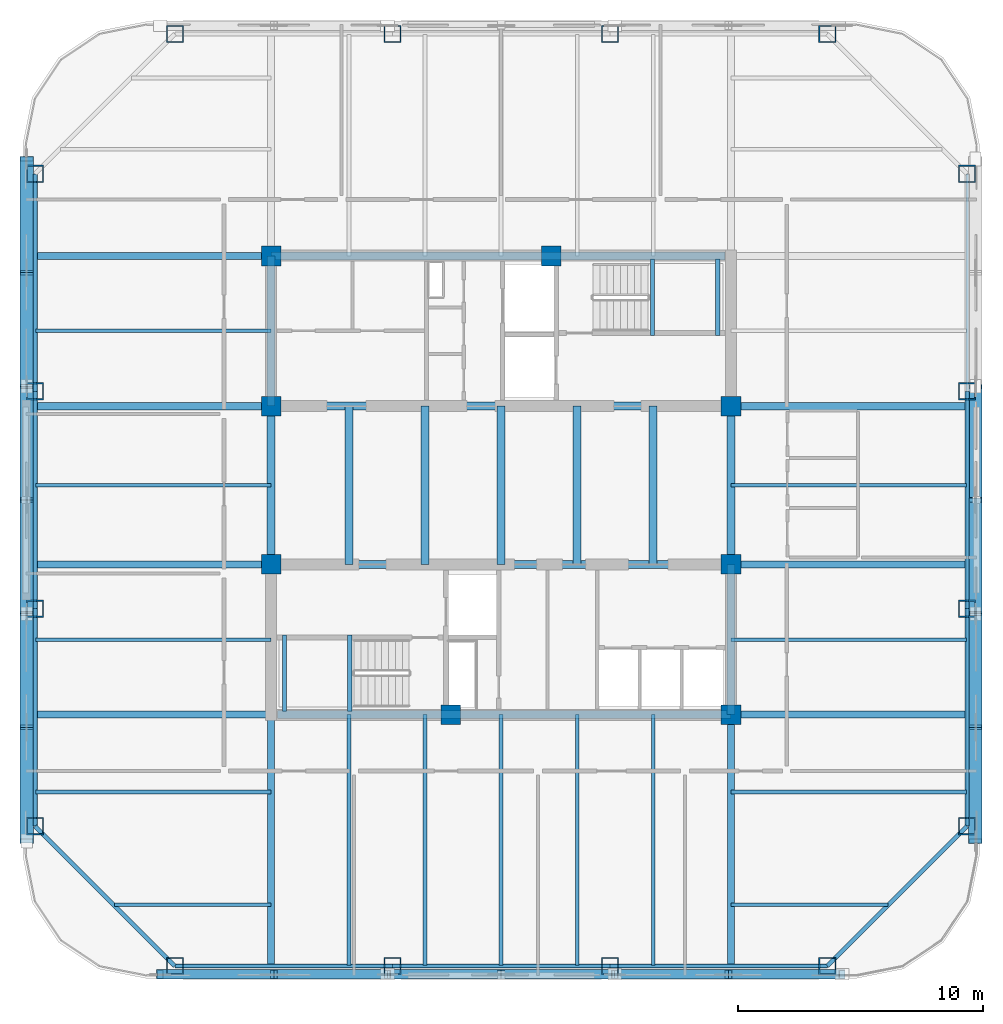
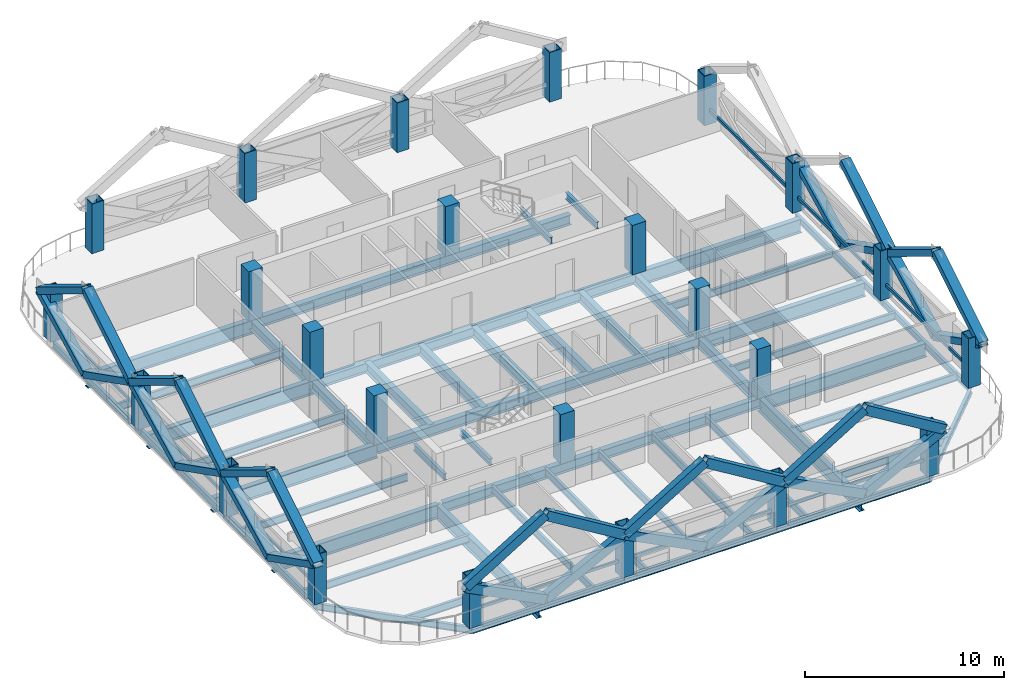
# One storey, part 1 of 9: 50 beams, 34 members, 24 columns.
"""IFC4 building model written with IfcOpenShell, lengths in metres."""

from ifc_helpers import new_model, si_unit, direction, frame, origin, origin_2d, place, context, subcontext, project, spatial, rectangle, hollow_rectangle, i_section, extrude, material, material_profile, profile_set, type_object, element, save


model = new_model("IFC4")

# Units and contexts
model_context = context("Model", 3, precision=1e-05, world=origin(), true_north=direction((0.0, 1.0)))
body_context = subcontext(model_context, "Body", "Model", "MODEL_VIEW")
ifc_project = project(units=[si_unit("LENGTHUNIT", "METRE"), si_unit("AREAUNIT", "SQUARE_METRE"), si_unit("VOLUMEUNIT", "CUBIC_METRE"), si_unit("PLANEANGLEUNIT", "RADIAN"), si_unit("MASSUNIT", "GRAM", prefix="KILO")], contexts=[model_context])

# Site, building, storey
site_placement = place(None, origin())
site = spatial("IfcSite", under=ifc_project, at=site_placement, CompositionType="ELEMENT")
building_placement = place(site_placement, origin())
building = spatial("IfcBuilding", under=site, at=building_placement, Name="Qhalaya Broadcast Tower", CompositionType="ELEMENT")
storey_placement = place(building_placement, frame((0.0, 0.0, 217.800048828125)))
storey = spatial("IfcBuildingStorey", under=building, at=storey_placement, Name="L64", CompositionType="ELEMENT", Elevation=217.800048828125)

# Columns
ifc_material_1 = material(Name="Concrete C50/60", Category="concrete")
ifc_material_profile_1 = material_profile(ifc_material_1, rectangle(XDim=0.800048828125, YDim=0.800048828125, at=origin_2d()), Name="RC-COL 800x800")
ifc_profile_set_1 = profile_set([ifc_material_profile_1], Name="Concrete C50/60")
column_type_1 = type_object("IfcColumnType", Name="RC Upper Column C10", PredefinedType="COLUMN", material=ifc_profile_set_1)
for number, where, z_axis, x_axis, name in (
    (1, (-9.375, 9.949951171875, 0.0), (0.0, 0.0, 1.0), (1.0, 0.0, 0.0), "L64 Column COL-CC1"),
    (2, (2.050048828125, 9.949951171875, 0.0), (0.0, 0.0, 1.0), (1.0, 0.0, 0.0), "L64 Column COL-CC2"),
    (3, (-9.375, 3.824951171875, 0.0), (0.0, 0.0, 1.0), (1.0, 0.0, 0.0), "L64 Column COL-CC3"),
    (4, (9.375, 3.824951171875, 0.0), (0.0, 0.0, 1.0), (1.0, 0.0, 0.0), "L64 Column COL-CC4"),
    (5, (-9.375, -2.625, 0.0), (0.0, 0.0, 1.0), (1.0, 0.0, 0.0), "L64 Column COL-CC5"),
    (6, (9.375, -2.625, 0.0), (0.0, 0.0, 1.0), (1.0, 0.0, 0.0), "L64 Column COL-CC6"),
    (7, (-2.050048828125, -8.75, 0.0), (0.0, 0.0, 1.0), (1.0, 0.0, 0.0), "L64 Column COL-CC7"),
    (8, (9.375, -8.75, 0.0), (0.0, 0.0, 1.0), (1.0, 0.0, 0.0), "L64 Column COL-CC8"),
):
    element("IfcColumn", number, at=place(storey_placement, frame(where, z_axis=z_axis, x_axis=x_axis)), inside=storey, type_object=column_type_1, Name=name, PredefinedType="COLUMN", context=body_context, shape_type="SweptSolid", body=[
        extrude(rectangle(XDim=0.800048828125, YDim=0.800048828125, at=origin_2d()), origin(), (0.0, 0.0, 1.0), 3.050048828125),
    ])
ifc_material_2 = material(Name="Structural Steel ASTM A572 Grade 50", Category="steel")
ifc_material_profile_2 = material_profile(ifc_material_2, hollow_rectangle(XDim=0.699951171875, YDim=0.699951171875, WallThickness=0.044921875, at=origin_2d()), Name="BOX 700x700x45")
ifc_profile_set_2 = profile_set([ifc_material_profile_2], Name="Structural Steel ASTM A572 Grade 50")
column_type_2 = type_object("IfcColumnType", Name="Steel Box Column C04", PredefinedType="COLUMN", material=ifc_profile_set_2)
for number, where, z_axis, x_axis, name in (
    (9, (-13.300048828125, -19.0, 0.0), (0.0, 0.0, 1.0), (1.0, 0.0, 0.0), "L64 Column COL-EX01"),
    (10, (-4.433349609375, -19.0, 0.0), (0.0, 0.0, 1.0), (1.0, 0.0, 0.0), "L64 Column COL-EX02"),
    (11, (4.433349609375, -19.0, 0.0), (0.0, 0.0, 1.0), (1.0, 0.0, 0.0), "L64 Column COL-EX03"),
    (12, (13.300048828125, -19.0, 0.0), (0.0, 0.0, 1.0), (1.0, 0.0, 0.0), "L64 Column COL-EX04"),
    (13, (19.0, -13.300048828125, 0.0), (0.0, 0.0, 1.0), (0.0, 1.0, 0.0), "L64 Column COL-EX05"),
    (14, (19.0, -4.433349609375, 0.0), (0.0, 0.0, 1.0), (0.0, 1.0, 0.0), "L64 Column COL-EX06"),
    (15, (19.0, 4.433349609375, 0.0), (0.0, 0.0, 1.0), (0.0, 1.0, 0.0), "L64 Column COL-EX07"),
    (16, (19.0, 13.300048828125, 0.0), (0.0, 0.0, 1.0), (0.0, 1.0, 0.0), "L64 Column COL-EX08"),
    (17, (13.300048828125, 19.0, 0.0), (0.0, 0.0, 1.0), (1.0, 0.0, 0.0), "L64 Column COL-EX09"),
    (18, (4.433349609375, 19.0, 0.0), (0.0, 0.0, 1.0), (1.0, 0.0, 0.0), "L64 Column COL-EX10"),
    (19, (-4.433349609375, 19.0, 0.0), (0.0, 0.0, 1.0), (1.0, 0.0, 0.0), "L64 Column COL-EX11"),
    (20, (-13.300048828125, 19.0, 0.0), (0.0, 0.0, 1.0), (1.0, 0.0, 0.0), "L64 Column COL-EX12"),
    (21, (-19.0, 13.300048828125, 0.0), (0.0, 0.0, 1.0), (0.0, 1.0, 0.0), "L64 Column COL-EX13"),
    (22, (-19.0, 4.433349609375, 0.0), (0.0, 0.0, 1.0), (0.0, 1.0, 0.0), "L64 Column COL-EX14"),
    (23, (-19.0, -4.433349609375, 0.0), (0.0, 0.0, 1.0), (0.0, 1.0, 0.0), "L64 Column COL-EX15"),
    (24, (-19.0, -13.300048828125, 0.0), (0.0, 0.0, 1.0), (0.0, 1.0, 0.0), "L64 Column COL-EX16"),
):
    element("IfcColumn", number, at=place(storey_placement, frame(where, z_axis=z_axis, x_axis=x_axis)), inside=storey, type_object=column_type_2, Name=name, PredefinedType="COLUMN", context=body_context, shape_type="SweptSolid", body=[
        extrude(hollow_rectangle(XDim=0.699951171875, YDim=0.699951171875, WallThickness=0.044921875, at=origin_2d()), origin(), (0.0, 0.0, 1.0), 3.050048828125),
    ])

# Beams
ifc_material_3 = material(Name="Structural Steel ASTM A992 Grade 50", Category="steel")
ifc_material_profile_3 = material_profile(ifc_material_3, i_section(OverallWidth=0.154052734375, OverallDepth=0.458984375, WebThickness=0.009033203125, FlangeThickness=0.015380859375, at=origin_2d()), Name="W18X46")
ifc_profile_set_3 = profile_set([ifc_material_profile_3], Name="Structural Steel ASTM A992 Grade 50")
beam_type_1 = type_object("IfcBeamType", Name="Composite Floor Joist J04", PredefinedType="JOIST", material=ifc_profile_set_3)
for number, where, z_axis, x_axis, name in (
    (25, (-6.199951171875, -18.97998046875, -0.41943359375), (0.0, 1.0, 0.0), (-1.0, 0.0, 0.0), "L64 J04 L64-JNS1-1"),
    (26, (-3.10009765625, -18.97998046875, -0.41943359375), (0.0, 1.0, 0.0), (-1.0, 0.0, 0.0), "L64 J04 L64-JNS2-1"),
    (27, (0.0, -18.97998046875, -0.41943359375), (0.0, 1.0, 0.0), (-1.0, 0.0, 0.0), "L64 J04 L64-JNS3-1"),
    (28, (3.10009765625, -18.97998046875, -0.41943359375), (0.0, 1.0, 0.0), (-1.0, 0.0, 0.0), "L64 J04 L64-JNS4-1"),
    (29, (6.199951171875, -18.97998046875, -0.41943359375), (0.0, 1.0, 0.0), (-1.0, 0.0, 0.0), "L64 J04 L64-JNS5-1"),
):
    element("IfcBeam", number, at=place(storey_placement, frame(where, z_axis=z_axis, x_axis=x_axis)), inside=storey, type_object=beam_type_1, Name=name, PredefinedType="JOIST", context=body_context, shape_type="SweptSolid", body=[
        extrude(i_section(OverallWidth=0.154052734375, OverallDepth=0.458984375, WebThickness=0.009033203125, FlangeThickness=0.015380859375, at=origin_2d()), origin(), (0.0, 0.0, 1.0), 10.22998046875),
    ])
for number, where, z_axis, x_axis, name in (
    (30, (-15.771728515625, -16.5, -0.41943359375), (1.0, 0.0, 0.0), (0.0, 1.0, 0.0), "L64 J04 L64-JWE1W-1"),
    (31, (9.375, -16.5, -0.41943359375), (1.0, 0.0, 0.0), (0.0, 1.0, 0.0), "L64 J04 L64-JWE1E-1"),
):
    element("IfcBeam", number, at=place(storey_placement, frame(where, z_axis=z_axis, x_axis=x_axis)), inside=storey, type_object=beam_type_1, Name=name, PredefinedType="JOIST", context=body_context, shape_type="SweptSolid", body=[
        extrude(i_section(OverallWidth=0.154052734375, OverallDepth=0.458984375, WebThickness=0.009033203125, FlangeThickness=0.015380859375, at=origin_2d()), origin(), (0.0, 0.0, 1.0), 6.396728515625),
    ])
for number, where, z_axis, x_axis, name in (
    (32, (-18.97998046875, -11.89990234375, -0.41943359375), (1.0, 0.0, 0.0), (0.0, 1.0, 0.0), "L64 J04 L64-JWE2W-1"),
    (33, (9.375, -11.89990234375, -0.41943359375), (1.0, 0.0, 0.0), (0.0, 1.0, 0.0), "L64 J04 L64-JWE2E-1"),
    (34, (-18.97998046875, -5.699951171875, -0.41943359375), (1.0, 0.0, 0.0), (0.0, 1.0, 0.0), "L64 J04 L64-JWE3W-1"),
    (35, (9.375, -5.699951171875, -0.41943359375), (1.0, 0.0, 0.0), (0.0, 1.0, 0.0), "L64 J04 L64-JWE3E-1"),
    (36, (-18.97998046875, 0.60009765625, -0.41943359375), (1.0, 0.0, 0.0), (0.0, 1.0, 0.0), "L64 J04 L64-JWE4W-1"),
    (37, (9.375, 0.60009765625, -0.41943359375), (1.0, 0.0, 0.0), (0.0, 1.0, 0.0), "L64 J04 L64-JWE4E-1"),
    (38, (-18.97998046875, 6.89990234375, -0.41943359375), (1.0, 0.0, 0.0), (0.0, 1.0, 0.0), "L64 J04 L64-JWE5W-1"),
):
    element("IfcBeam", number, at=place(storey_placement, frame(where, z_axis=z_axis, x_axis=x_axis)), inside=storey, type_object=beam_type_1, Name=name, PredefinedType="JOIST", context=body_context, shape_type="SweptSolid", body=[
        extrude(i_section(OverallWidth=0.154052734375, OverallDepth=0.458984375, WebThickness=0.009033203125, FlangeThickness=0.015380859375, at=origin_2d()), origin(), (0.0, 0.0, 1.0), 9.60498046875),
    ])
ifc_material_profile_4 = material_profile(ifc_material_3, i_section(OverallWidth=0.323974609375, OverallDepth=0.612060546875, WebThickness=0.0126953125, FlangeThickness=0.01904296875, at=origin_2d()), Name="W24X104")
ifc_profile_set_4 = profile_set([ifc_material_profile_4], Name="Structural Steel ASTM A992 Grade 50")
beam_type_2 = type_object("IfcBeamType", Name="Core Frame Tie Beam B04", PredefinedType="BEAM", material=ifc_profile_set_4)
beam_1_placement = place(storey_placement, frame((-9.375, 3.824951171875, -0.49609375), z_axis=(1.0, 0.0, 0.0), x_axis=(0.0, 1.0, 0.0)))
element("IfcBeam", 39, at=beam_1_placement, inside=storey, type_object=beam_type_2, Name="L64 B04 L64-CCN1", PredefinedType="BEAM", context=body_context, shape_type="SweptSolid", body=[
    extrude(i_section(OverallWidth=0.323974609375, OverallDepth=0.612060546875, WebThickness=0.0126953125, FlangeThickness=0.01904296875, at=origin_2d()), origin(), (0.0, 0.0, 1.0), 18.75),
])
beam_2_placement = place(storey_placement, frame((-9.375, 3.824951171875, -0.49609375), z_axis=(0.0, 1.0, 0.0), x_axis=(-1.0, 0.0, 0.0)))
element("IfcBeam", 40, at=beam_2_placement, inside=storey, type_object=beam_type_2, Name="L64 B04 L64-CCN2", PredefinedType="BEAM", context=body_context, shape_type="SweptSolid", body=[
    extrude(i_section(OverallWidth=0.323974609375, OverallDepth=0.612060546875, WebThickness=0.0126953125, FlangeThickness=0.01904296875, at=origin_2d()), origin(), (0.0, 0.0, 1.0), 6.125),
])
beam_3_placement = place(storey_placement, frame((-9.375, 9.949951171875, -0.49609375), z_axis=(1.0, 0.0, 0.0), x_axis=(0.0, 1.0, 0.0)))
element("IfcBeam", 41, at=beam_3_placement, inside=storey, type_object=beam_type_2, Name="L64 B04 L64-CCN3", PredefinedType="BEAM", context=body_context, shape_type="SweptSolid", body=[
    extrude(i_section(OverallWidth=0.323974609375, OverallDepth=0.612060546875, WebThickness=0.0126953125, FlangeThickness=0.01904296875, at=origin_2d()), origin(), (0.0, 0.0, 1.0), 18.4951171875),
])
beam_4_placement = place(storey_placement, frame((-9.375, -2.625, -0.49609375), z_axis=(1.0, 0.0, 0.0), x_axis=(0.0, 1.0, 0.0)))
element("IfcBeam", 42, at=beam_4_placement, inside=storey, type_object=beam_type_2, Name="L64 B04 L64-CCS1", PredefinedType="BEAM", context=body_context, shape_type="SweptSolid", body=[
    extrude(i_section(OverallWidth=0.323974609375, OverallDepth=0.612060546875, WebThickness=0.0126953125, FlangeThickness=0.01904296875, at=origin_2d()), origin(), (0.0, 0.0, 1.0), 18.75),
])
beam_5_placement = place(storey_placement, frame((9.375, -8.75, -0.49609375), z_axis=(0.0, 1.0, 0.0), x_axis=(-1.0, 0.0, 0.0)))
element("IfcBeam", 43, at=beam_5_placement, inside=storey, type_object=beam_type_2, Name="L64 B04 L64-CCS2", PredefinedType="BEAM", context=body_context, shape_type="SweptSolid", body=[
    extrude(i_section(OverallWidth=0.323974609375, OverallDepth=0.612060546875, WebThickness=0.0126953125, FlangeThickness=0.01904296875, at=origin_2d()), origin(), (0.0, 0.0, 1.0), 6.125),
])
beam_6_placement = place(storey_placement, frame((-9.1201171875, -8.75, -0.49609375), z_axis=(1.0, 0.0, 0.0), x_axis=(0.0, 1.0, 0.0)))
element("IfcBeam", 44, at=beam_6_placement, inside=storey, type_object=beam_type_2, Name="L64 B04 L64-CCS3", PredefinedType="BEAM", context=body_context, shape_type="SweptSolid", body=[
    extrude(i_section(OverallWidth=0.323974609375, OverallDepth=0.612060546875, WebThickness=0.0126953125, FlangeThickness=0.01904296875, at=origin_2d()), origin(), (0.0, 0.0, 1.0), 18.4951171875),
])
for number, where, z_axis, x_axis, name in (
    (45, (-9.375, -2.625, -0.49609375), (0.0, 1.0, 0.0), (-1.0, 0.0, 0.0), "L64 B04 L64-CCW"),
    (46, (9.375, -2.625, -0.49609375), (0.0, 1.0, 0.0), (-1.0, 0.0, 0.0), "L64 B04 L64-CCE"),
    (47, (-6.199951171875, -2.625, -0.49609375), (0.0, 1.0, 0.0), (-1.0, 0.0, 0.0), "L64 B04 L64-JC1-1"),
    (48, (-3.10009765625, -2.625, -0.49609375), (0.0, 1.0, 0.0), (-1.0, 0.0, 0.0), "L64 B04 L64-JC2-1"),
    (49, (0.0, -2.625, -0.49609375), (0.0, 1.0, 0.0), (-1.0, 0.0, 0.0), "L64 B04 L64-JC3-1"),
    (50, (3.10009765625, -2.625, -0.49609375), (0.0, 1.0, 0.0), (-1.0, 0.0, 0.0), "L64 B04 L64-JC4-1"),
    (51, (6.199951171875, -2.625, -0.49609375), (0.0, 1.0, 0.0), (-1.0, 0.0, 0.0), "L64 B04 L64-JC5-1"),
):
    element("IfcBeam", number, at=place(storey_placement, frame(where, z_axis=z_axis, x_axis=x_axis)), inside=storey, type_object=beam_type_2, Name=name, PredefinedType="BEAM", context=body_context, shape_type="SweptSolid", body=[
        extrude(i_section(OverallWidth=0.323974609375, OverallDepth=0.612060546875, WebThickness=0.0126953125, FlangeThickness=0.01904296875, at=origin_2d()), origin(), (0.0, 0.0, 1.0), 6.449951171875),
    ])

# Members
ifc_material_profile_5 = material_profile(ifc_material_2, hollow_rectangle(XDim=0.3798828125, YDim=0.550048828125, WallThickness=0.02490234375, at=origin_2d()), Name="BOX 380x550x25")
ifc_profile_set_5 = profile_set([ifc_material_profile_5], Name="Structural Steel ASTM A572 Grade 50")
member_type_1 = type_object("IfcMemberType", Name="Exoskeleton Diamond Diagonal Upper EX4", PredefinedType="BRACE", material=ifc_profile_set_5)
for number, where, z_axis, x_axis, name in (
    (52, (-9.2666015625, -19.340087890625, 0.35986328125), (-0.892235092116, 0.0, 0.451571190841), (0.0, -1.0, 0.0), "B5 Exoskeleton Diamond Brace S1-D1"),
    (53, (-9.2666015625, -19.340087890625, 0.35986328125), (0.892235092116, 0.0, 0.451571190841), (0.0, 1.0, 0.0), "B5 Exoskeleton Diamond Brace S1-D2"),
):
    element("IfcMember", number, at=place(storey_placement, frame(where, z_axis=z_axis, x_axis=x_axis)), inside=storey, type_object=member_type_1, Name=name, PredefinedType="BRACE", context=body_context, shape_type="SweptSolid", body=[
        extrude(hollow_rectangle(XDim=0.3798828125, YDim=0.550048828125, WallThickness=0.02490234375, at=origin_2d()), origin(), (0.0, 0.0, 1.0), 5.19287109375),
    ])
for number, where, z_axis, x_axis, name in (
    (54, (-13.89990234375, -19.340087890625, 2.704833984375), (0.853795200322, 0.0, 0.520609024035), (0.0, 1.0, 0.0), "B5 Exoskeleton Diamond Brace S1-D3"),
    (55, (-4.63330078125, -19.340087890625, 2.704833984375), (-0.853795200322, 0.0, 0.520609024035), (0.0, -1.0, 0.0), "B5 Exoskeleton Diamond Brace S1-D4"),
):
    element("IfcMember", number, at=place(storey_placement, frame(where, z_axis=z_axis, x_axis=x_axis)), inside=storey, type_object=member_type_1, Name=name, PredefinedType="BRACE", context=body_context, shape_type="SweptSolid", body=[
        extrude(hollow_rectangle(XDim=0.3798828125, YDim=0.550048828125, WallThickness=0.02490234375, at=origin_2d()), origin(), (0.0, 0.0, 1.0), 5.4267578125),
    ])
for number, where, z_axis, x_axis, name in (
    (56, (0.0, -19.340087890625, 0.35986328125), (-0.892235092116, 0.0, 0.451571190841), (0.0, -1.0, 0.0), "B5 Exoskeleton Diamond Brace S2-D1"),
    (57, (0.0, -19.340087890625, 0.35986328125), (0.892235092116, 0.0, 0.451571190841), (0.0, 1.0, 0.0), "B5 Exoskeleton Diamond Brace S2-D2"),
):
    element("IfcMember", number, at=place(storey_placement, frame(where, z_axis=z_axis, x_axis=x_axis)), inside=storey, type_object=member_type_1, Name=name, PredefinedType="BRACE", context=body_context, shape_type="SweptSolid", body=[
        extrude(hollow_rectangle(XDim=0.3798828125, YDim=0.550048828125, WallThickness=0.02490234375, at=origin_2d()), origin(), (0.0, 0.0, 1.0), 5.19287109375),
    ])
for number, where, z_axis, x_axis, name in (
    (58, (-4.63330078125, -19.340087890625, 2.704833984375), (0.853795200322, 0.0, 0.520609024035), (0.0, 1.0, 0.0), "B5 Exoskeleton Diamond Brace S2-D3"),
    (59, (4.63330078125, -19.340087890625, 2.704833984375), (-0.853795200322, 0.0, 0.520609024035), (0.0, -1.0, 0.0), "B5 Exoskeleton Diamond Brace S2-D4"),
):
    element("IfcMember", number, at=place(storey_placement, frame(where, z_axis=z_axis, x_axis=x_axis)), inside=storey, type_object=member_type_1, Name=name, PredefinedType="BRACE", context=body_context, shape_type="SweptSolid", body=[
        extrude(hollow_rectangle(XDim=0.3798828125, YDim=0.550048828125, WallThickness=0.02490234375, at=origin_2d()), origin(), (0.0, 0.0, 1.0), 5.4267578125),
    ])
for number, where, z_axis, x_axis, name in (
    (60, (9.2666015625, -19.340087890625, 0.35986328125), (-0.892235092116, 0.0, 0.451571190841), (0.0, -1.0, 0.0), "B5 Exoskeleton Diamond Brace S3-D1"),
    (61, (9.2666015625, -19.340087890625, 0.35986328125), (0.892235092116, 0.0, 0.451571190841), (0.0, 1.0, 0.0), "B5 Exoskeleton Diamond Brace S3-D2"),
):
    element("IfcMember", number, at=place(storey_placement, frame(where, z_axis=z_axis, x_axis=x_axis)), inside=storey, type_object=member_type_1, Name=name, PredefinedType="BRACE", context=body_context, shape_type="SweptSolid", body=[
        extrude(hollow_rectangle(XDim=0.3798828125, YDim=0.550048828125, WallThickness=0.02490234375, at=origin_2d()), origin(), (0.0, 0.0, 1.0), 5.19287109375),
    ])
for number, where, z_axis, x_axis, name in (
    (62, (4.63330078125, -19.340087890625, 2.704833984375), (0.853795200322, 0.0, 0.520609024035), (0.0, 1.0, 0.0), "B5 Exoskeleton Diamond Brace S3-D3"),
    (63, (13.89990234375, -19.340087890625, 2.704833984375), (-0.853795200322, 0.0, 0.520609024035), (0.0, -1.0, 0.0), "B5 Exoskeleton Diamond Brace S3-D4"),
):
    element("IfcMember", number, at=place(storey_placement, frame(where, z_axis=z_axis, x_axis=x_axis)), inside=storey, type_object=member_type_1, Name=name, PredefinedType="BRACE", context=body_context, shape_type="SweptSolid", body=[
        extrude(hollow_rectangle(XDim=0.3798828125, YDim=0.550048828125, WallThickness=0.02490234375, at=origin_2d()), origin(), (0.0, 0.0, 1.0), 5.4267578125),
    ])
for number, where, z_axis, x_axis, name in (
    (64, (19.340087890625, -9.2666015625, 0.35986328125), (0.0, -0.892235092116, 0.451571190841), (0.0, 0.451571190841, 0.892235092116), "B5 Exoskeleton Diamond Brace E1-D1"),
    (65, (19.340087890625, -9.2666015625, 0.35986328125), (0.0, 0.892235092116, 0.451571190841), (0.0, -0.451571190841, 0.892235092116), "B5 Exoskeleton Diamond Brace E1-D2"),
):
    element("IfcMember", number, at=place(storey_placement, frame(where, z_axis=z_axis, x_axis=x_axis)), inside=storey, type_object=member_type_1, Name=name, PredefinedType="BRACE", context=body_context, shape_type="SweptSolid", body=[
        extrude(hollow_rectangle(XDim=0.3798828125, YDim=0.550048828125, WallThickness=0.02490234375, at=origin_2d()), origin(), (0.0, 0.0, 1.0), 5.19287109375),
    ])
for number, where, z_axis, x_axis, name in (
    (66, (19.340087890625, -13.89990234375, 2.704833984375), (0.0, 0.853795200322, 0.520609024035), (0.0, -0.520609024035, 0.853795200322), "B5 Exoskeleton Diamond Brace E1-D3"),
    (67, (19.340087890625, -4.63330078125, 2.704833984375), (0.0, -0.853795200322, 0.520609024035), (0.0, 0.520609024035, 0.853795200322), "B5 Exoskeleton Diamond Brace E1-D4"),
):
    element("IfcMember", number, at=place(storey_placement, frame(where, z_axis=z_axis, x_axis=x_axis)), inside=storey, type_object=member_type_1, Name=name, PredefinedType="BRACE", context=body_context, shape_type="SweptSolid", body=[
        extrude(hollow_rectangle(XDim=0.3798828125, YDim=0.550048828125, WallThickness=0.02490234375, at=origin_2d()), origin(), (0.0, 0.0, 1.0), 5.4267578125),
    ])
for number, where, z_axis, x_axis, name in (
    (68, (19.340087890625, 0.0, 0.35986328125), (0.0, -0.892235092116, 0.451571190841), (0.0, 0.451571190841, 0.892235092116), "B5 Exoskeleton Diamond Brace E2-D1"),
    (69, (19.340087890625, 0.0, 0.35986328125), (0.0, 0.892235092116, 0.451571190841), (0.0, -0.451571190841, 0.892235092116), "B5 Exoskeleton Diamond Brace E2-D2"),
):
    element("IfcMember", number, at=place(storey_placement, frame(where, z_axis=z_axis, x_axis=x_axis)), inside=storey, type_object=member_type_1, Name=name, PredefinedType="BRACE", context=body_context, shape_type="SweptSolid", body=[
        extrude(hollow_rectangle(XDim=0.3798828125, YDim=0.550048828125, WallThickness=0.02490234375, at=origin_2d()), origin(), (0.0, 0.0, 1.0), 5.19287109375),
    ])
member_placement = place(storey_placement, frame((19.340087890625, -4.63330078125, 2.704833984375), z_axis=(0.0, 0.853795200322, 0.520609024035), x_axis=(0.0, -0.520609024035, 0.853795200322)))
element("IfcMember", 70, at=member_placement, inside=storey, type_object=member_type_1, Name="B5 Exoskeleton Diamond Brace E2-D3", PredefinedType="BRACE", context=body_context, shape_type="SweptSolid", body=[
    extrude(hollow_rectangle(XDim=0.3798828125, YDim=0.550048828125, WallThickness=0.02490234375, at=origin_2d()), origin(), (0.0, 0.0, 1.0), 5.4267578125),
])
for number, where, z_axis, x_axis, name in (
    (71, (-19.340087890625, 9.2666015625, 0.35986328125), (0.0, 0.892235092116, 0.451571190841), (0.0, -0.451571190841, 0.892235092116), "B5 Exoskeleton Diamond Brace W1-D1"),
    (72, (-19.340087890625, 9.2666015625, 0.35986328125), (0.0, -0.892235092116, 0.451571190841), (0.0, 0.451571190841, 0.892235092116), "B5 Exoskeleton Diamond Brace W1-D2"),
):
    element("IfcMember", number, at=place(storey_placement, frame(where, z_axis=z_axis, x_axis=x_axis)), inside=storey, type_object=member_type_1, Name=name, PredefinedType="BRACE", context=body_context, shape_type="SweptSolid", body=[
        extrude(hollow_rectangle(XDim=0.3798828125, YDim=0.550048828125, WallThickness=0.02490234375, at=origin_2d()), origin(), (0.0, 0.0, 1.0), 5.19287109375),
    ])
for number, where, z_axis, x_axis, name in (
    (73, (-19.340087890625, 13.89990234375, 2.704833984375), (0.0, -0.853795200322, 0.520609024035), (0.0, 0.520609024035, 0.853795200322), "B5 Exoskeleton Diamond Brace W1-D3"),
    (74, (-19.340087890625, 4.63330078125, 2.704833984375), (0.0, 0.853795200322, 0.520609024035), (0.0, -0.520609024035, 0.853795200322), "B5 Exoskeleton Diamond Brace W1-D4"),
):
    element("IfcMember", number, at=place(storey_placement, frame(where, z_axis=z_axis, x_axis=x_axis)), inside=storey, type_object=member_type_1, Name=name, PredefinedType="BRACE", context=body_context, shape_type="SweptSolid", body=[
        extrude(hollow_rectangle(XDim=0.3798828125, YDim=0.550048828125, WallThickness=0.02490234375, at=origin_2d()), origin(), (0.0, 0.0, 1.0), 5.4267578125),
    ])
for number, where, z_axis, x_axis, name in (
    (75, (-19.340087890625, 0.0, 0.35986328125), (0.0, 0.892235092116, 0.451571190841), (0.0, -0.451571190841, 0.892235092116), "B5 Exoskeleton Diamond Brace W2-D1"),
    (76, (-19.340087890625, 0.0, 0.35986328125), (0.0, -0.892235092116, 0.451571190841), (0.0, 0.451571190841, 0.892235092116), "B5 Exoskeleton Diamond Brace W2-D2"),
):
    element("IfcMember", number, at=place(storey_placement, frame(where, z_axis=z_axis, x_axis=x_axis)), inside=storey, type_object=member_type_1, Name=name, PredefinedType="BRACE", context=body_context, shape_type="SweptSolid", body=[
        extrude(hollow_rectangle(XDim=0.3798828125, YDim=0.550048828125, WallThickness=0.02490234375, at=origin_2d()), origin(), (0.0, 0.0, 1.0), 5.19287109375),
    ])
for number, where, z_axis, x_axis, name in (
    (77, (-19.340087890625, 4.63330078125, 2.704833984375), (0.0, -0.853795200322, 0.520609024035), (0.0, 0.520609024035, 0.853795200322), "B5 Exoskeleton Diamond Brace W2-D3"),
    (78, (-19.340087890625, -4.63330078125, 2.704833984375), (0.0, 0.853795200322, 0.520609024035), (0.0, -0.520609024035, 0.853795200322), "B5 Exoskeleton Diamond Brace W2-D4"),
):
    element("IfcMember", number, at=place(storey_placement, frame(where, z_axis=z_axis, x_axis=x_axis)), inside=storey, type_object=member_type_1, Name=name, PredefinedType="BRACE", context=body_context, shape_type="SweptSolid", body=[
        extrude(hollow_rectangle(XDim=0.3798828125, YDim=0.550048828125, WallThickness=0.02490234375, at=origin_2d()), origin(), (0.0, 0.0, 1.0), 5.4267578125),
    ])
for number, where, z_axis, x_axis, name in (
    (79, (-19.340087890625, -9.2666015625, 0.35986328125), (0.0, 0.892235092116, 0.451571190841), (0.0, -0.451571190841, 0.892235092116), "B5 Exoskeleton Diamond Brace W3-D1"),
    (80, (-19.340087890625, -9.2666015625, 0.35986328125), (0.0, -0.892235092116, 0.451571190841), (0.0, 0.451571190841, 0.892235092116), "B5 Exoskeleton Diamond Brace W3-D2"),
):
    element("IfcMember", number, at=place(storey_placement, frame(where, z_axis=z_axis, x_axis=x_axis)), inside=storey, type_object=member_type_1, Name=name, PredefinedType="BRACE", context=body_context, shape_type="SweptSolid", body=[
        extrude(hollow_rectangle(XDim=0.3798828125, YDim=0.550048828125, WallThickness=0.02490234375, at=origin_2d()), origin(), (0.0, 0.0, 1.0), 5.19287109375),
    ])
for number, where, z_axis, x_axis, name in (
    (81, (-19.340087890625, -4.63330078125, 2.704833984375), (0.0, -0.853795200322, 0.520609024035), (0.0, 0.520609024035, 0.853795200322), "B5 Exoskeleton Diamond Brace W3-D3"),
    (82, (-19.340087890625, -13.89990234375, 2.704833984375), (0.0, 0.853795200322, 0.520609024035), (0.0, -0.520609024035, 0.853795200322), "B5 Exoskeleton Diamond Brace W3-D4"),
):
    element("IfcMember", number, at=place(storey_placement, frame(where, z_axis=z_axis, x_axis=x_axis)), inside=storey, type_object=member_type_1, Name=name, PredefinedType="BRACE", context=body_context, shape_type="SweptSolid", body=[
        extrude(hollow_rectangle(XDim=0.3798828125, YDim=0.550048828125, WallThickness=0.02490234375, at=origin_2d()), origin(), (0.0, 0.0, 1.0), 5.4267578125),
    ])
ifc_material_4 = material(Name="Fired Architectural Terracotta", Category="masonry")
ifc_material_profile_6 = material_profile(ifc_material_4, hollow_rectangle(XDim=0.110107421875, YDim=0.179931640625, WallThickness=0.01806640625, at=origin_2d()), Name="TB-BAG 110x180x18")
ifc_profile_set_6 = profile_set([ifc_material_profile_6], Name="Fired Architectural Terracotta")
member_type_2 = type_object("IfcMemberType", Name="Fired Terracotta Facade Baguette Member TB1", PredefinedType="USERDEFINED", material=ifc_profile_set_6)
for number, where, z_axis, x_axis, name in (
    (83, (-13.300048828125, -19.0, 0.85791015625), (1.0, 0.0, 0.0), (0.0, 1.0, 0.0), "L64 Terracotta Baguette Feature Rail S"),
    (84, (19.0, -13.300048828125, 0.85791015625), (0.0, 1.0, 0.0), (-1.0, 0.0, 0.0), "L64 Terracotta Baguette Feature Rail E"),
    (85, (-19.0, 13.300048828125, 0.85791015625), (0.0, -1.0, 0.0), (1.0, 0.0, 0.0), "L64 Terracotta Baguette Feature Rail W"),
):
    element("IfcMember", number, at=place(storey_placement, frame(where, z_axis=z_axis, x_axis=x_axis)), inside=storey, type_object=member_type_2, Name=name, ObjectType="BAGUETTE", PredefinedType="USERDEFINED", context=body_context, shape_type="SweptSolid", body=[
        extrude(hollow_rectangle(XDim=0.110107421875, YDim=0.179931640625, WallThickness=0.01806640625, at=origin_2d()), origin(), (0.0, 0.0, 1.0), 26.60009765625),
    ])

# Beams
ifc_material_profile_7 = material_profile(ifc_material_3, i_section(OverallWidth=0.2919921875, OverallDepth=0.85888671875, WebThickness=0.01708984375, FlangeThickness=0.031005859375, at=origin_2d()), Name="W33X169")
ifc_profile_set_7 = profile_set([ifc_material_profile_7], Name="Structural Steel ASTM A992 Grade 50")
beam_type_3 = type_object("IfcBeamType", Name="Upper Block Primary Girder PG4", PredefinedType="USERDEFINED", material=ifc_profile_set_7)
for number, where, z_axis, x_axis, name in (
    (86, (-9.375, -18.97998046875, -0.61962890625), (0.0, 1.0, 0.0), (-1.0, 0.0, 0.0), "L64 PG4 L64-PGXS1-1"),
    (87, (9.375, -18.97998046875, -0.61962890625), (0.0, 1.0, 0.0), (-1.0, 0.0, 0.0), "L64 PG4 L64-PGXS2-1"),
):
    element("IfcBeam", number, at=place(storey_placement, frame(where, z_axis=z_axis, x_axis=x_axis)), inside=storey, type_object=beam_type_3, Name=name, ObjectType="GIRDER", PredefinedType="USERDEFINED", context=body_context, shape_type="SweptSolid", body=[
        extrude(i_section(OverallWidth=0.2919921875, OverallDepth=0.85888671875, WebThickness=0.01708984375, FlangeThickness=0.031005859375, at=origin_2d()), origin(), (0.0, 0.0, 1.0), 10.22998046875),
    ])
for number, where, z_axis, x_axis, name in (
    (88, (-18.97998046875, -8.75, -0.61962890625), (1.0, 0.0, 0.0), (0.0, 1.0, 0.0), "L64 PG4 L64-PGYW1-1"),
    (89, (9.375, -8.75, -0.61962890625), (1.0, 0.0, 0.0), (0.0, 1.0, 0.0), "L64 PG4 L64-PGYE1-1"),
    (90, (-18.97998046875, -2.625, -0.61962890625), (1.0, 0.0, 0.0), (0.0, 1.0, 0.0), "L64 PG4 L64-PGYW2-1"),
    (91, (9.375, -2.625, -0.61962890625), (1.0, 0.0, 0.0), (0.0, 1.0, 0.0), "L64 PG4 L64-PGYE2-1"),
    (92, (-18.97998046875, 3.824951171875, -0.61962890625), (1.0, 0.0, 0.0), (0.0, 1.0, 0.0), "L64 PG4 L64-PGYW3-1"),
    (93, (9.375, 3.824951171875, -0.61962890625), (1.0, 0.0, 0.0), (0.0, 1.0, 0.0), "L64 PG4 L64-PGYE3-1"),
    (94, (-18.97998046875, 9.949951171875, -0.61962890625), (1.0, 0.0, 0.0), (0.0, 1.0, 0.0), "L64 PG4 L64-PGYW4-1"),
):
    element("IfcBeam", number, at=place(storey_placement, frame(where, z_axis=z_axis, x_axis=x_axis)), inside=storey, type_object=beam_type_3, Name=name, ObjectType="GIRDER", PredefinedType="USERDEFINED", context=body_context, shape_type="SweptSolid", body=[
        extrude(i_section(OverallWidth=0.2919921875, OverallDepth=0.85888671875, WebThickness=0.01708984375, FlangeThickness=0.031005859375, at=origin_2d()), origin(), (0.0, 0.0, 1.0), 9.60498046875),
    ])
ifc_material_profile_8 = material_profile(ifc_material_3, i_section(OverallWidth=0.177978515625, OverallDepth=0.406005859375, WebThickness=0.0078125, FlangeThickness=0.0126953125, at=origin_2d()), Name="W16X40")
ifc_profile_set_8 = profile_set([ifc_material_profile_8], Name="Structural Steel ASTM A992 Grade 50")
beam_type_4 = type_object("IfcBeamType", Name="Upper Perimeter Spandrel Beam SP2", PredefinedType="SPANDREL", material=ifc_profile_set_8)
for number, where, z_axis, x_axis, name in (
    (95, (-13.300048828125, -19.0, -0.39306640625), (1.0, 0.0, 0.0), (0.0, 1.0, 0.0), "L64 SP2 L64-SPR-01"),
    (96, (-4.433349609375, -19.0, -0.39306640625), (1.0, 0.0, 0.0), (0.0, 1.0, 0.0), "L64 SP2 L64-SPR-02"),
    (97, (4.433349609375, -19.0, -0.39306640625), (1.0, 0.0, 0.0), (0.0, 1.0, 0.0), "L64 SP2 L64-SPR-03"),
):
    element("IfcBeam", number, at=place(storey_placement, frame(where, z_axis=z_axis, x_axis=x_axis)), inside=storey, type_object=beam_type_4, Name=name, PredefinedType="SPANDREL", context=body_context, shape_type="SweptSolid", body=[
        extrude(i_section(OverallWidth=0.177978515625, OverallDepth=0.406005859375, WebThickness=0.0078125, FlangeThickness=0.0126953125, at=origin_2d()), origin(), (0.0, 0.0, 1.0), 8.86669921875),
    ])
beam_7_placement = place(storey_placement, frame((13.300048828125, -19.0, -0.39306640625), z_axis=(0.707106781187, 0.707106781187, 0.0), x_axis=(-0.707106781187, 0.707106781187, 0.0)))
element("IfcBeam", 98, at=beam_7_placement, inside=storey, type_object=beam_type_4, Name="L64 SP2 L64-SPR-04", PredefinedType="SPANDREL", context=body_context, shape_type="SweptSolid", body=[
    extrude(i_section(OverallWidth=0.177978515625, OverallDepth=0.406005859375, WebThickness=0.0078125, FlangeThickness=0.0126953125, at=origin_2d()), origin(), (0.0, 0.0, 1.0), 8.06103515625),
])
for number, where, z_axis, x_axis, name in (
    (99, (19.0, -13.300048828125, -0.39306640625), (0.0, 1.0, 0.0), (-1.0, 0.0, 0.0), "L64 SP2 L64-SPR-05"),
    (100, (19.0, -4.433349609375, -0.39306640625), (0.0, 1.0, 0.0), (-1.0, 0.0, 0.0), "L64 SP2 L64-SPR-06"),
    (101, (-19.0, 13.300048828125, -0.39306640625), (0.0, -1.0, 0.0), (1.0, 0.0, 0.0), "L64 SP2 L64-SPR-13"),
    (102, (-19.0, 4.433349609375, -0.39306640625), (0.0, -1.0, 0.0), (1.0, 0.0, 0.0), "L64 SP2 L64-SPR-14"),
    (103, (-19.0, -4.433349609375, -0.39306640625), (0.0, -1.0, 0.0), (1.0, 0.0, 0.0), "L64 SP2 L64-SPR-15"),
):
    element("IfcBeam", number, at=place(storey_placement, frame(where, z_axis=z_axis, x_axis=x_axis)), inside=storey, type_object=beam_type_4, Name=name, PredefinedType="SPANDREL", context=body_context, shape_type="SweptSolid", body=[
        extrude(i_section(OverallWidth=0.177978515625, OverallDepth=0.406005859375, WebThickness=0.0078125, FlangeThickness=0.0126953125, at=origin_2d()), origin(), (0.0, 0.0, 1.0), 8.86669921875),
    ])
beam_8_placement = place(storey_placement, frame((-19.0, -13.300048828125, -0.39306640625), z_axis=(0.707106781187, -0.707106781187, 0.0), x_axis=(0.707106781187, 0.707106781187, 0.0)))
element("IfcBeam", 104, at=beam_8_placement, inside=storey, type_object=beam_type_4, Name="L64 SP2 L64-SPR-16", PredefinedType="SPANDREL", context=body_context, shape_type="SweptSolid", body=[
    extrude(i_section(OverallWidth=0.177978515625, OverallDepth=0.406005859375, WebThickness=0.0078125, FlangeThickness=0.0126953125, at=origin_2d()), origin(), (0.0, 0.0, 1.0), 8.06103515625),
])
for number, where, z_axis, x_axis, name in (
    (105, (6.175048828125, 6.699951171875, 1.1220703125), (0.0, 1.0, 0.0), (-1.0, 0.0, 0.0), "L64 ST-1 Half-Landing Bearer Beam 1"),
    (106, (8.830078125, 6.699951171875, 1.1220703125), (0.0, 1.0, 0.0), (-1.0, 0.0, 0.0), "L64 ST-1 Half-Landing Bearer Beam 2"),
    (107, (-8.830078125, -8.6201171875, 1.1220703125), (0.0, 1.0, 0.0), (-1.0, 0.0, 0.0), "L64 ST-2 Half-Landing Bearer Beam 1"),
    (108, (-6.175048828125, -8.6201171875, 1.1220703125), (0.0, 1.0, 0.0), (-1.0, 0.0, 0.0), "L64 ST-2 Half-Landing Bearer Beam 2"),
):
    element("IfcBeam", number, at=place(storey_placement, frame(where, z_axis=z_axis, x_axis=x_axis)), inside=storey, type_object=beam_type_4, Name=name, PredefinedType="SPANDREL", context=body_context, shape_type="SweptSolid", body=[
        extrude(i_section(OverallWidth=0.177978515625, OverallDepth=0.406005859375, WebThickness=0.0078125, FlangeThickness=0.0126953125, at=origin_2d()), origin(), (0.0, 0.0, 1.0), 3.1201171875),
    ])

save(model, "model.ifc")
